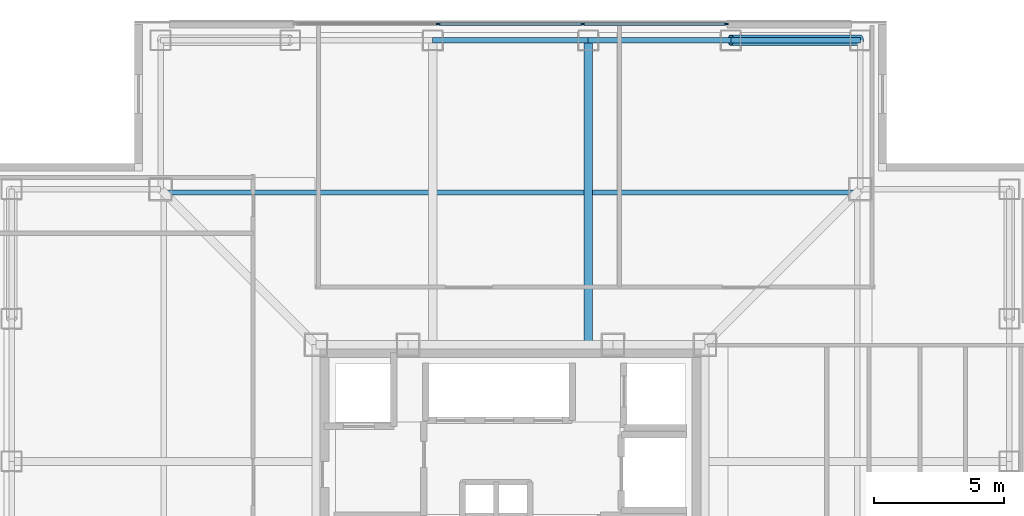
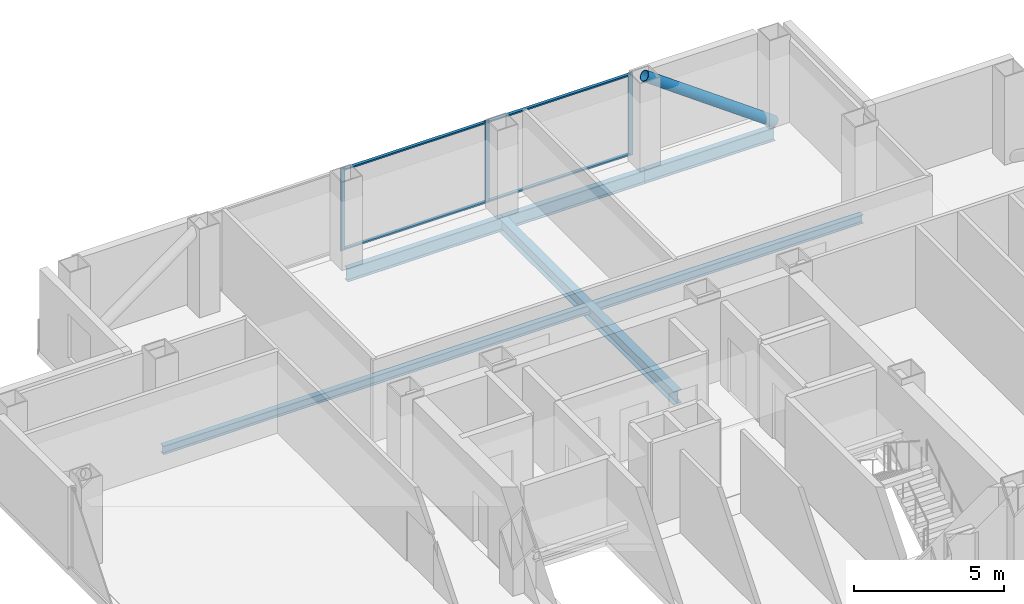
# One storey, part 8 of 17: 8 members, 5 beams, 1 element without a shape of its own.
"""IFC4 building model written with IfcOpenShell, lengths in metres."""

from ifc_helpers import new_model, si_unit, direction, frame, origin, origin_2d, place, context, subcontext, project, spatial, rectangle, hollow_circle, i_section, extrude, material, layer, layer_set, material_profile, profile_set, type_object, element, aggregate, save


model = new_model("IFC4")

# Units and contexts
model_context = context("Model", 3, precision=1e-05, world=origin(), true_north=direction((0.0, 1.0)))
body_context = subcontext(model_context, "Body", "Model", "MODEL_VIEW")
ifc_project = project(units=[si_unit("LENGTHUNIT", "METRE"), si_unit("AREAUNIT", "SQUARE_METRE"), si_unit("VOLUMEUNIT", "CUBIC_METRE"), si_unit("PLANEANGLEUNIT", "RADIAN"), si_unit("MASSUNIT", "GRAM", prefix="KILO")], contexts=[model_context])

# Site, building, storey
site_placement = place(None, origin())
site = spatial("IfcSite", under=ifc_project, at=site_placement, CompositionType="ELEMENT")
building_placement = place(site_placement, origin())
building = spatial("IfcBuilding", under=site, at=building_placement, Name="Trevonay Congress Spire", CompositionType="ELEMENT")
storey_placement = place(building_placement, frame((0.0, 0.0, 191.39990234375)))
storey = spatial("IfcBuildingStorey", under=building, at=storey_placement, Name="L49", CompositionType="ELEMENT", Elevation=191.39990234375)

# Beams
ifc_material_1 = material(Name="Steel ASTM A572 Grade 50", Category="steel")
ifc_material_profile_1 = material_profile(ifc_material_1, i_section(OverallWidth=0.31201171875, OverallDepth=0.54296875, WebThickness=0.0126953125, FlangeThickness=0.020263671875, FilletRadius=0.014892578125, at=origin_2d()), Name="W530x150")
ifc_profile_set_1 = profile_set([ifc_material_profile_1], Name="Steel ASTM A572 Grade 50")
beam_type_1 = type_object("IfcBeamType", Name="BM-GIRD-W530X150", PredefinedType="BEAM", material=ifc_profile_set_1)
beam_1_placement = place(storey_placement, frame((3.0, 7.5, -0.511474609375), z_axis=(0.0, 1.0, 0.0), x_axis=(-1.0, 0.0, 0.0)))
element("IfcBeam", 1, at=beam_1_placement, inside=storey, type_object=beam_type_1, Name="L49 structural beam BM-L49-GN-P", PredefinedType="BEAM", context=body_context, shape_type="SweptSolid", body=[
    extrude(i_section(OverallWidth=0.31201171875, OverallDepth=0.54296875, WebThickness=0.0126953125, FlangeThickness=0.020263671875, FilletRadius=0.014892578125, at=origin_2d()), origin(), (0.0, 0.0, 1.0), 11.75),
])
ifc_material_profile_2 = material_profile(ifc_material_1, i_section(OverallWidth=0.2119140625, OverallDepth=0.5439453125, WebThickness=0.01318359375, FlangeThickness=0.021240234375, FilletRadius=0.014892578125, at=origin_2d()), Name="W530x123")
ifc_profile_set_2 = profile_set([ifc_material_profile_2], Name="Steel ASTM A572 Grade 50")
beam_type_2 = type_object("IfcBeamType", Name="BM-RING-W530X123", PredefinedType="BEAM", material=ifc_profile_set_2)
beam_2_placement = place(storey_placement, frame((-3.0, 19.25, -0.511962890625), z_axis=(1.0, 0.0, 0.0), x_axis=(0.0, 1.0, 0.0)))
element("IfcBeam", 2, at=beam_2_placement, inside=storey, type_object=beam_type_2, Name="L49 structural beam BM-L49-PN3", PredefinedType="BEAM", context=body_context, shape_type="SweptSolid", body=[
    extrude(i_section(OverallWidth=0.2119140625, OverallDepth=0.5439453125, WebThickness=0.01318359375, FlangeThickness=0.021240234375, FilletRadius=0.014892578125, at=origin_2d()), origin(), (0.0, 0.0, 1.0), 6.0),
])
beam_3_placement = place(storey_placement, frame((3.0, 19.25, -0.511962890625), z_axis=(1.0, 0.0, 0.0), x_axis=(0.0, 1.0, 0.0)))
element("IfcBeam", 3, at=beam_3_placement, inside=storey, type_object=beam_type_2, Name="L49 structural beam BM-L49-PN4", PredefinedType="BEAM", context=body_context, shape_type="SweptSolid", body=[
    extrude(i_section(OverallWidth=0.2119140625, OverallDepth=0.5439453125, WebThickness=0.01318359375, FlangeThickness=0.021240234375, FilletRadius=0.014892578125, at=origin_2d()), origin(), (0.0, 0.0, 1.0), 5.5),
])
beam_4_placement = place(storey_placement, frame((8.5, 19.25, -0.511962890625), z_axis=(1.0, 0.0, 0.0), x_axis=(0.0, 1.0, 0.0)))
element("IfcBeam", 4, at=beam_4_placement, inside=storey, type_object=beam_type_2, Name="L49 structural beam BM-L49-PN5", PredefinedType="BEAM", context=body_context, shape_type="SweptSolid", body=[
    extrude(i_section(OverallWidth=0.2119140625, OverallDepth=0.5439453125, WebThickness=0.01318359375, FlangeThickness=0.021240234375, FilletRadius=0.014892578125, at=origin_2d()), origin(), (0.0, 0.0, 1.0), 5.0),
])

# Curtain wall, members
ifc_material_2 = material(Name="Pale Anodised Aluminium EN AW-6063-T6", Category="aluminium")
ifc_layer = layer(ifc_material_2, 0.169921875, Name="Pale Anodised Aluminium EN AW-6063-T6")
ifc_layer_set = layer_set([ifc_layer], Name="Pale Anodised Aluminium EN AW-6063-T6")
curtain_wall_type = type_object("IfcCurtainWallType", Name="CW-SYS04-CORP-PALE-METAL", PredefinedType="NOTDEFINED", material=ifc_layer_set)
curtain_wall_placement = place(storey_placement, origin())
curtain_wall = element("IfcCurtainWall", 5, at=curtain_wall_placement, inside=storey, type_object=curtain_wall_type, Name="L49 N unitised curtain wall", PredefinedType="NOTDEFINED")
ifc_material_profile_3 = material_profile(ifc_material_2, rectangle(XDim=0.06005859375, YDim=0.159912109375, at=origin_2d()), Name="CW-MULLION-160-ALUMINIUM")
ifc_profile_set_3 = profile_set([ifc_material_profile_3], Name="Pale Anodised Aluminium EN AW-6063-T6")
member_type_1 = type_object("IfcMemberType", Name="CW-MULLION-160-ALUMINIUM", PredefinedType="MULLION", material=ifc_profile_set_3)
member_1_placement = place(storey_placement, frame((-2.783447265625, 19.8798828125, 0.0), z_axis=(0.0, 0.0, 1.0), x_axis=(0.0, 1.0, 0.0)))
member_1 = element("IfcMember", 6, at=member_1_placement, type_object=member_type_1, Name="CW04 mullion 2", PredefinedType="MULLION", context=body_context, shape_type="SweptSolid", body=[
    extrude(rectangle(XDim=0.06005859375, YDim=0.159912109375, at=origin_2d()), origin(), (0.0, 0.0, 1.0), 3.360107421875),
])
member_2_placement = place(storey_placement, frame((2.783447265625, 19.8798828125, 0.0), z_axis=(0.0, 0.0, 1.0), x_axis=(0.0, 1.0, 0.0)))
member_2 = element("IfcMember", 7, at=member_2_placement, type_object=member_type_1, Name="CW04 mullion 3", PredefinedType="MULLION", context=body_context, shape_type="SweptSolid", body=[
    extrude(rectangle(XDim=0.06005859375, YDim=0.159912109375, at=origin_2d()), origin(), (0.0, 0.0, 1.0), 3.360107421875),
])
member_3_placement = place(storey_placement, frame((8.320068359375, 19.8798828125, 0.0), z_axis=(0.0, 0.0, 1.0), x_axis=(0.0, 1.0, 0.0)))
member_3 = element("IfcMember", 8, at=member_3_placement, type_object=member_type_1, Name="CW04 mullion 4", PredefinedType="MULLION", context=body_context, shape_type="SweptSolid", body=[
    extrude(rectangle(XDim=0.06005859375, YDim=0.159912109375, at=origin_2d()), origin(), (0.0, 0.0, 1.0), 3.360107421875),
])
ifc_material_profile_4 = material_profile(ifc_material_2, rectangle(XDim=0.1201171875, YDim=0.06005859375, at=origin_2d()), Name="CW-TRANSOM-120-ALUMINIUM")
ifc_profile_set_4 = profile_set([ifc_material_profile_4], Name="Pale Anodised Aluminium EN AW-6063-T6")
member_type_2 = type_object("IfcMemberType", Name="CW-TRANSOM-120-ALUMINIUM", PredefinedType="USERDEFINED", material=ifc_profile_set_4)
member_4_placement = place(storey_placement, frame((-2.75341796875, 19.8798828125, 0.06005859375), z_axis=(1.0, 0.0, 0.0), x_axis=(0.0, 1.0, 0.0)))
member_4 = element("IfcMember", 9, at=member_4_placement, type_object=member_type_2, Name="CW04 transom 2.1", ObjectType="TRANSOM", PredefinedType="USERDEFINED", context=body_context, shape_type="SweptSolid", body=[
    extrude(rectangle(XDim=0.1201171875, YDim=0.06005859375, at=origin_2d()), origin(), (0.0, 0.0, 1.0), 5.5068359375),
])
member_5_placement = place(storey_placement, frame((-2.75341796875, 19.8798828125, 3.300048828125), z_axis=(1.0, 0.0, 0.0), x_axis=(0.0, 1.0, 0.0)))
member_5 = element("IfcMember", 10, at=member_5_placement, type_object=member_type_2, Name="CW04 transom 2.2", ObjectType="TRANSOM", PredefinedType="USERDEFINED", context=body_context, shape_type="SweptSolid", body=[
    extrude(rectangle(XDim=0.1201171875, YDim=0.06005859375, at=origin_2d()), origin(), (0.0, 0.0, 1.0), 5.5068359375),
])
member_6_placement = place(storey_placement, frame((2.813232421875, 19.8798828125, 0.06005859375), z_axis=(1.0, 0.0, 0.0), x_axis=(0.0, 1.0, 0.0)))
member_6 = element("IfcMember", 11, at=member_6_placement, type_object=member_type_2, Name="CW04 transom 3.1", ObjectType="TRANSOM", PredefinedType="USERDEFINED", context=body_context, shape_type="SweptSolid", body=[
    extrude(rectangle(XDim=0.1201171875, YDim=0.06005859375, at=origin_2d()), origin(), (0.0, 0.0, 1.0), 5.476806640625),
])
member_7_placement = place(storey_placement, frame((2.813232421875, 19.8798828125, 3.300048828125), z_axis=(1.0, 0.0, 0.0), x_axis=(0.0, 1.0, 0.0)))
member_7 = element("IfcMember", 12, at=member_7_placement, type_object=member_type_2, Name="CW04 transom 3.2", ObjectType="TRANSOM", PredefinedType="USERDEFINED", context=body_context, shape_type="SweptSolid", body=[
    extrude(rectangle(XDim=0.1201171875, YDim=0.06005859375, at=origin_2d()), origin(), (0.0, 0.0, 1.0), 5.476806640625),
])
aggregate(curtain_wall, [member_1, member_2, member_3, member_4, member_5, member_6, member_7])

# Beam
ifc_material_profile_5 = material_profile(ifc_material_1, i_section(OverallWidth=0.205078125, OverallDepth=0.35400390625, WebThickness=0.009521484375, FlangeThickness=0.016845703125, FilletRadius=0.011962890625, at=origin_2d()), Name="W360x79")
ifc_profile_set_5 = profile_set([ifc_material_profile_5], Name="Steel ASTM A572 Grade 50")
beam_type_3 = type_object("IfcBeamType", Name="JS-COMP-W360X79", PredefinedType="JOIST", material=ifc_profile_set_5)
beam_5_placement = place(storey_placement, frame((-13.5, 13.375, -0.4169921875), z_axis=(1.0, 0.0, 0.0), x_axis=(0.0, 1.0, 0.0)))
element("IfcBeam", 13, at=beam_5_placement, inside=storey, type_object=beam_type_3, Name="L49 structural beam JS-L49-RING-N", PredefinedType="JOIST", context=body_context, shape_type="SweptSolid", body=[
    extrude(i_section(OverallWidth=0.205078125, OverallDepth=0.35400390625, WebThickness=0.009521484375, FlangeThickness=0.016845703125, FilletRadius=0.011962890625, at=origin_2d()), origin(), (0.0, 0.0, 1.0), 27.0),
])

# Member
ifc_material_3 = material(Name="Steel ASTM A500 Grade C", Category="steel")
ifc_material_profile_6 = material_profile(ifc_material_3, hollow_circle(Radius=0.203125, WallThickness=0.02001953125, at=origin_2d()), Name="CHS 406.4x20")
ifc_profile_set_6 = profile_set([ifc_material_profile_6], Name="Steel ASTM A500 Grade C")
member_type_3 = type_object("IfcMemberType", Name="MBR-TUBE-CHS406", PredefinedType="BRACE", material=ifc_profile_set_6)
member_8_placement = place(storey_placement, frame((13.5, 19.25, -0.0498046875), z_axis=(-0.811545615365, 0.0, 0.584289067313), x_axis=(0.0, -1.0, 0.0)))
element("IfcMember", 14, at=member_8_placement, inside=storey, type_object=member_type_3, Name="L49 perimeter braced-tube diagonal N4", PredefinedType="BRACE", context=body_context, shape_type="SweptSolid", body=[
    extrude(hollow_circle(Radius=0.203125, WallThickness=0.02001953125, at=origin_2d()), origin(), (0.0, 0.0, 1.0), 6.1611328125),
])

save(model, "model.ifc")
